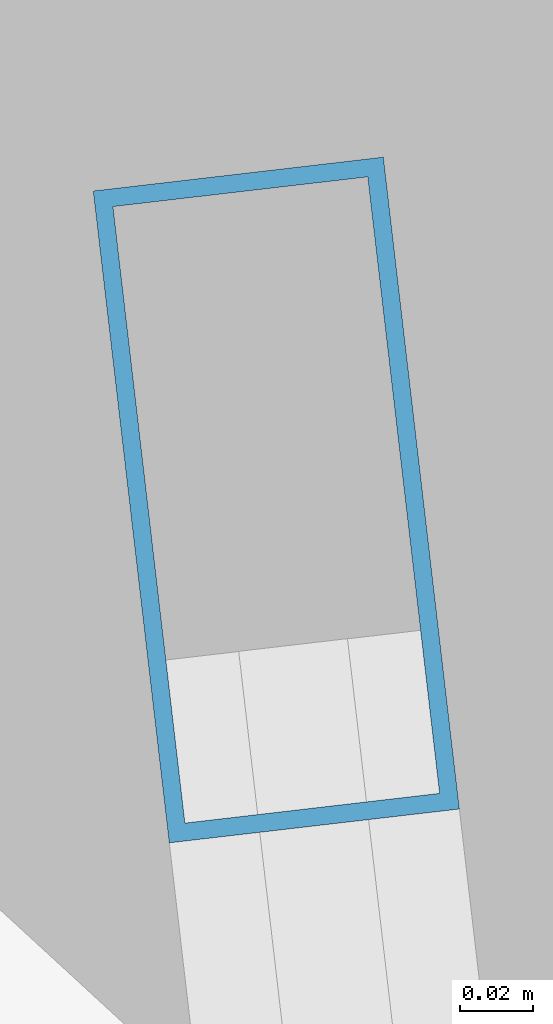
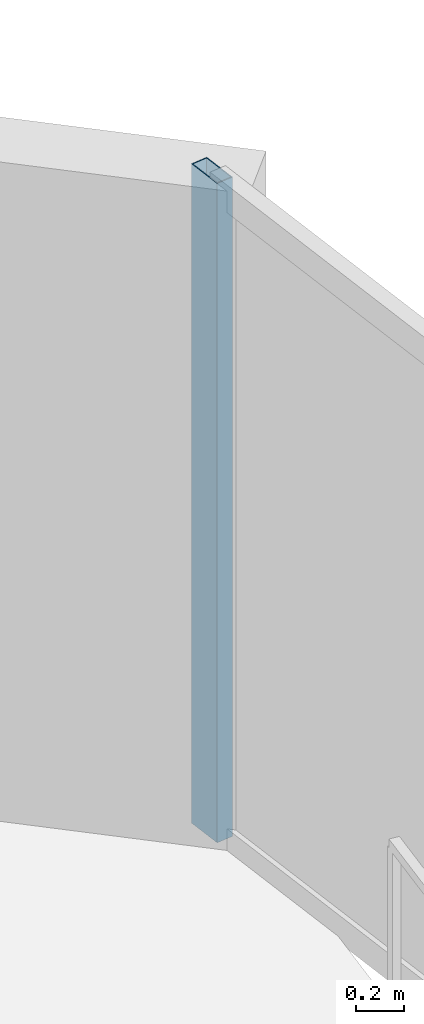
# One storey, part 22 of 31: 1 member, 1 element without a shape of its own.
"""IFC4 building model written with IfcOpenShell, lengths in metres."""

from ifc_helpers import new_model, si_unit, direction, frame, origin, origin_2d, place, context, subcontext, project, spatial, hollow_rectangle, extrude, material, layer, layer_set, material_profile, profile_set, type_object, element, aggregate, save


model = new_model("IFC4")

# Units and contexts
model_context = context("Model", 3, precision=1e-05, world=origin(), true_north=direction((0.0, 1.0)))
body_context = subcontext(model_context, "Body", "Model", "MODEL_VIEW")
ifc_project = project(units=[si_unit("LENGTHUNIT", "METRE"), si_unit("AREAUNIT", "SQUARE_METRE"), si_unit("VOLUMEUNIT", "CUBIC_METRE"), si_unit("PLANEANGLEUNIT", "RADIAN"), si_unit("MASSUNIT", "GRAM", prefix="KILO")], contexts=[model_context])

# Site, building, storey
site_placement = place(None, origin())
site = spatial("IfcSite", under=ifc_project, at=site_placement, CompositionType="ELEMENT")
building_placement = place(site_placement, origin())
building = spatial("IfcBuilding", under=site, at=building_placement, Name="Kazevale Care Tower and Concert Hall", CompositionType="ELEMENT")
storey_placement = place(building_placement, frame((0.0, 0.0, 202.800048828125)))
storey = spatial("IfcBuildingStorey", under=building, at=storey_placement, Name="L53", CompositionType="ELEMENT", Elevation=202.800048828125)

# Curtain wall, member
ifc_material_1 = material(Name="Aluminium 6063-T6 and Low-E Glass", Category="aluminium")
ifc_layer = layer(ifc_material_1, 0.179931640625)
ifc_layer_set = layer_set([ifc_layer], Name="Aluminium 6063-T6 and Low-E Glass")
curtain_wall_type = type_object("IfcCurtainWallType", Name="Waist & Upper Residential Curtain Wall CW-4", PredefinedType="NOTDEFINED", material=ifc_layer_set)
curtain_wall_placement = place(storey_placement, origin())
curtain_wall = element("IfcCurtainWall", 1, at=curtain_wall_placement, inside=storey, type_object=curtain_wall_type, Name="cw:L53:f18", PredefinedType="NOTDEFINED")
ifc_material_2 = material(Name="Aluminium 6063-T6", Category="aluminium")
ifc_material_profile = material_profile(ifc_material_2, hollow_rectangle(XDim=0.080078125, YDim=0.179931640625, WallThickness=0.0048828125, at=origin_2d()), Name="ALU80x180x5")
ifc_profile_set = profile_set([ifc_material_profile], Name="Aluminium 6063-T6")
member_type = type_object("IfcMemberType", Name="CW-4 Mullion ALU80x180x5", PredefinedType="MULLION", material=ifc_profile_set)
member_placement = place(storey_placement, frame((75.2255859375, 49.955322265625, 0.0), z_axis=(0.0, 0.0, 1.0), x_axis=(0.993267109779, 0.115846659989, 0.0)))
member = element("IfcMember", 2, at=member_placement, type_object=member_type, Name="CW-4 mullion 1", PredefinedType="MULLION", context=body_context, shape_type="SweptSolid", body=[
    extrude(hollow_rectangle(XDim=0.080078125, YDim=0.179931640625, WallThickness=0.0048828125, at=origin_2d()), origin(), (0.0, 0.0, 1.0), 3.35986328125),
])
aggregate(curtain_wall, [member])

save(model, "model.ifc")
